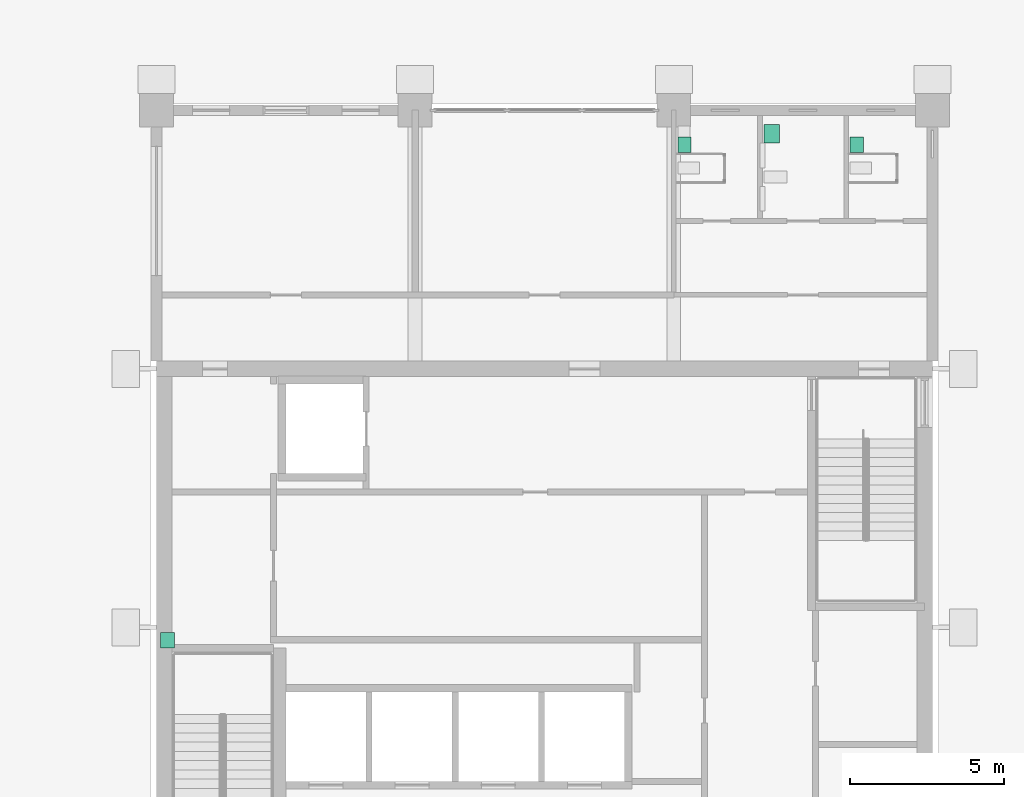
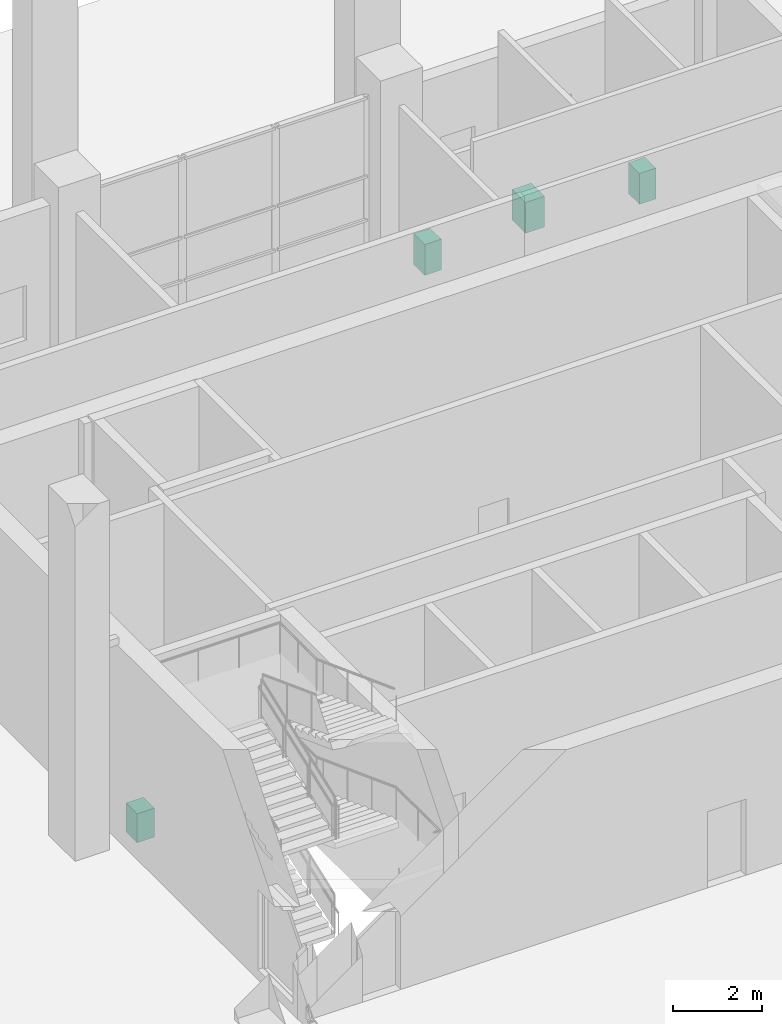
# One storey, part 71 of 74: 4 sanitary terminals.
"""IFC4 building model written with IfcOpenShell, lengths in metres."""

from ifc_helpers import new_model, si_unit, direction, frame, origin, origin_2d, place, context, subcontext, project, spatial, rectangle, extrude, material, type_object, element, save


model = new_model("IFC4")

# Units and contexts
model_context = context("Model", 3, precision=1e-05, world=origin(), true_north=direction((0.0, 1.0)))
body_context = subcontext(model_context, "Body", "Model", "MODEL_VIEW")
ifc_project = project(units=[si_unit("LENGTHUNIT", "METRE"), si_unit("AREAUNIT", "SQUARE_METRE"), si_unit("VOLUMEUNIT", "CUBIC_METRE"), si_unit("PLANEANGLEUNIT", "RADIAN"), si_unit("MASSUNIT", "GRAM", prefix="KILO")], contexts=[model_context])

# Site, building, storey
site_placement = place(None, origin())
site = spatial("IfcSite", under=ifc_project, at=site_placement, CompositionType="ELEMENT")
building_placement = place(site_placement, origin())
building = spatial("IfcBuilding", under=site, at=building_placement, Name="Rulbaag Community and Learning Centre", CompositionType="ELEMENT")
storey_placement = place(building_placement, origin())
storey = spatial("IfcBuildingStorey", under=building, at=storey_placement, Name="L00", CompositionType="ELEMENT", Elevation=0.0)

# Sanitary terminals
ifc_material_1 = material(Name="Vitreous china", Category="ceramic")
sanitary_terminal_type_1 = type_object("IfcSanitaryTerminalType", Name="BS-500", PredefinedType="WASHHANDBASIN", material=ifc_material_1)
for number, where, z_axis, x_axis, name in (
    (1, (159.945068359375, 116.47998046875, 0.0), (0.0, 0.0, 1.0), (1.0, 0.0, 0.0), "Basin 63"),
    (2, (165.544921875, 116.47998046875, 0.0), (0.0, 0.0, 1.0), (1.0, 0.0, 0.0), "Basin 64"),
):
    element("IfcSanitaryTerminal", number, at=place(storey_placement, frame(where, z_axis=z_axis, x_axis=x_axis)), inside=storey, type_object=sanitary_terminal_type_1, Name=name, PredefinedType="WASHHANDBASIN", context=body_context, shape_type="SweptSolid", body=[
        extrude(rectangle(XDim=0.429931640625, YDim=0.5, at=origin_2d()), origin(), (0.0, 0.0, 1.0), 0.85009765625),
    ])
sanitary_terminal_type_2 = type_object("IfcSanitaryTerminalType", Name="BS-AC-600", PredefinedType="WASHHANDBASIN", material=ifc_material_1)
sanitary_terminal_1_placement = place(storey_placement, frame((162.780029296875, 116.830078125, 0.0), z_axis=(0.0, 0.0, 1.0), x_axis=(1.0, 0.0, 0.0)))
element("IfcSanitaryTerminal", 3, at=sanitary_terminal_1_placement, inside=storey, type_object=sanitary_terminal_type_2, Name="Basin 65", PredefinedType="WASHHANDBASIN", context=body_context, shape_type="SweptSolid", body=[
    extrude(rectangle(XDim=0.5, YDim=0.60009765625, at=origin_2d()), origin(), (0.0, 0.0, 1.0), 0.85009765625),
])
ifc_material_2 = material(Name="Stainless steel", Category="steel")
sanitary_terminal_type_3 = type_object("IfcSanitaryTerminalType", Name="SK-CL-500", PredefinedType="SINK", material=ifc_material_2)
sanitary_terminal_2_placement = place(storey_placement, frame((143.155029296875, 100.3798828125, 0.0), z_axis=(0.0, 0.0, 1.0), x_axis=(1.0, 0.0, 0.0)))
element("IfcSanitaryTerminal", 4, at=sanitary_terminal_2_placement, inside=storey, type_object=sanitary_terminal_type_3, Name="Sink 03", PredefinedType="SINK", context=body_context, shape_type="SweptSolid", body=[
    extrude(rectangle(XDim=0.449951171875, YDim=0.5, at=origin_2d()), origin(), (0.0, 0.0, 1.0), 0.800048828125),
])

save(model, "model.ifc")
